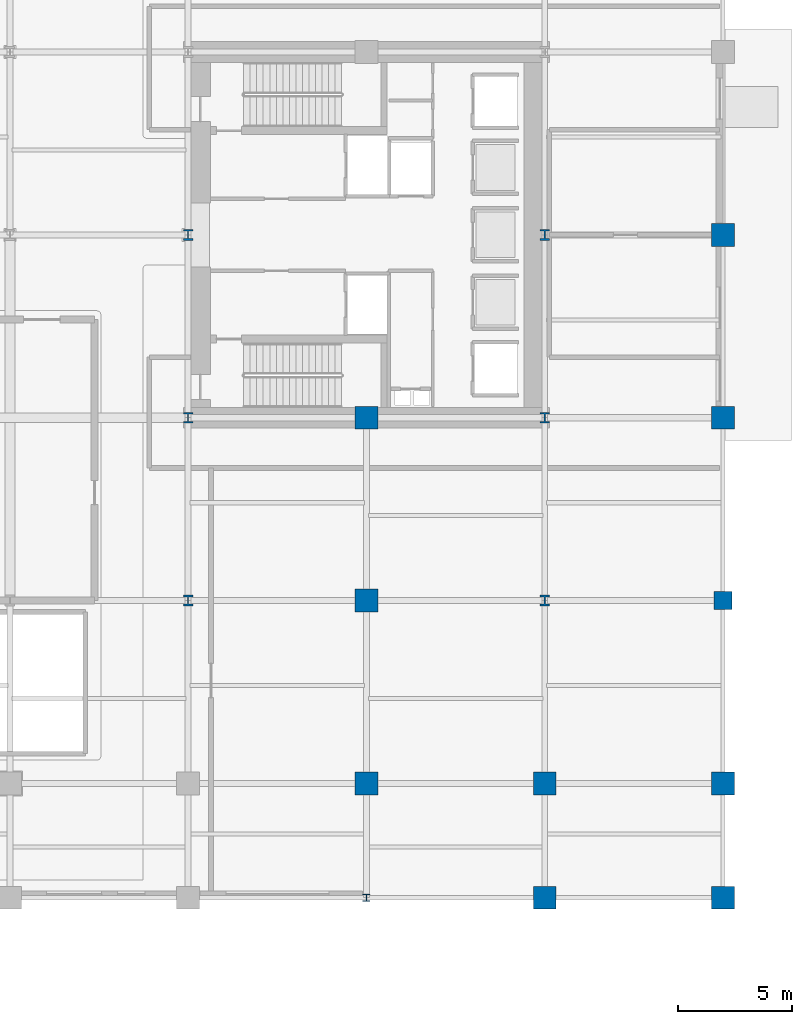
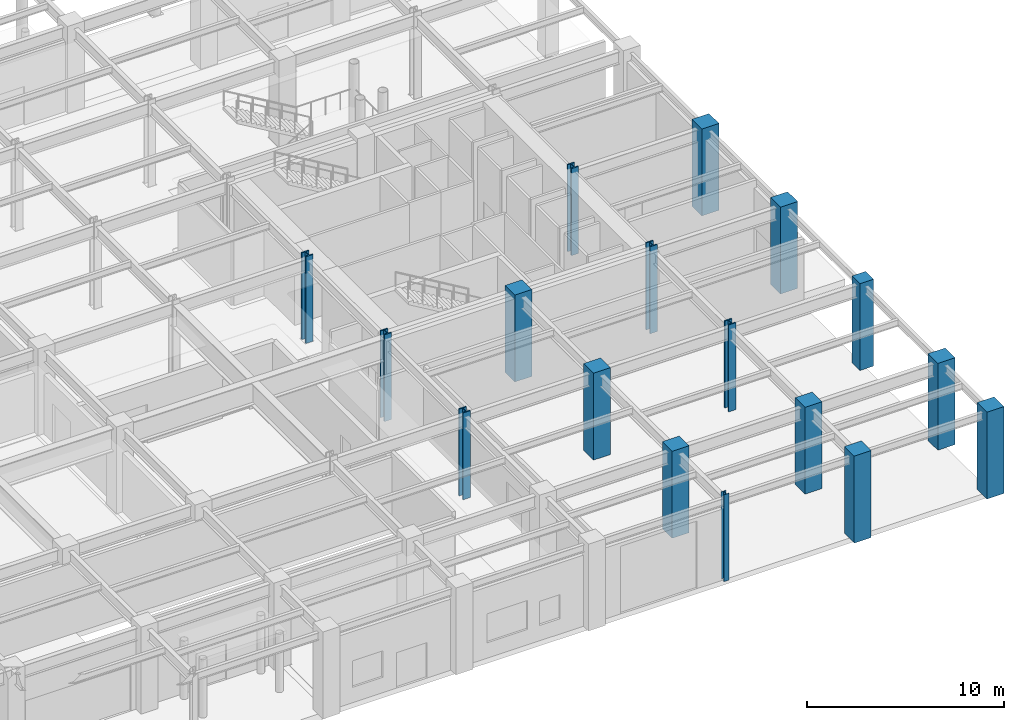
# One storey, part 3 of 27: 17 columns.
"""IFC4 building model written with IfcOpenShell, lengths in metres."""

from ifc_helpers import new_model, si_unit, direction, frame, origin, origin_2d, place, context, subcontext, project, spatial, rectangle, i_section, extrude, material, material_profile, profile_set, type_object, element, save


model = new_model("IFC4")

# Units and contexts
model_context = context("Model", 3, precision=1e-05, world=origin(), true_north=direction((0.0, 1.0)))
body_context = subcontext(model_context, "Body", "Model", "MODEL_VIEW")
ifc_project = project(units=[si_unit("LENGTHUNIT", "METRE"), si_unit("AREAUNIT", "SQUARE_METRE"), si_unit("VOLUMEUNIT", "CUBIC_METRE"), si_unit("PLANEANGLEUNIT", "RADIAN"), si_unit("MASSUNIT", "GRAM", prefix="KILO")], contexts=[model_context])

# Site, building, storey
site_placement = place(None, origin())
site = spatial("IfcSite", under=ifc_project, at=site_placement, CompositionType="ELEMENT")
building_placement = place(site_placement, origin())
building = spatial("IfcBuilding", under=site, at=building_placement, Name="Veymaron Broadcast Tower", CompositionType="ELEMENT")
storey_placement = place(building_placement, origin())
storey = spatial("IfcBuildingStorey", under=building, at=storey_placement, Name="L00", CompositionType="ELEMENT", Elevation=0.0)

# Columns
ifc_material_1 = material(Name="Structural steel ASTM A913 Gr 65", Category="steel")
ifc_material_profile_1 = material_profile(ifc_material_1, i_section(OverallWidth=0.424072265625, OverallDepth=0.47412109375, WebThickness=0.047607421875, FlangeThickness=0.076904296875, at=origin_2d()), Name="W360X634")
ifc_profile_set_1 = profile_set([ifc_material_profile_1], Name="Structural steel ASTM A913 Gr 65")
column_type_1 = type_object("IfcColumnType", Name="COL-MC1", PredefinedType="COLUMN", material=ifc_profile_set_1)
for number, where, z_axis, x_axis, name in (
    (1, (39.0, 8.0, 0.0), (0.0, 0.0, 1.0), (1.0, 0.0, 0.0), "L00 column (39.0, 8.0)"),
    (2, (39.0, 16.0, 0.0), (0.0, 0.0, 1.0), (1.0, 0.0, 0.0), "L00 column (39.0, 16.0)"),
    (3, (39.0, 24.0, 0.0), (0.0, 0.0, 1.0), (1.0, 0.0, 0.0), "L00 column (39.0, 24.0)"),
    (4, (54.60009765625, 8.0, 0.0), (0.0, 0.0, 1.0), (1.0, 0.0, 0.0), "L00 column (54.6, 8.0)"),
    (5, (54.60009765625, 16.0, 0.0), (0.0, 0.0, 1.0), (1.0, 0.0, 0.0), "L00 column (54.6, 16.0)"),
    (6, (54.60009765625, 24.0, 0.0), (0.0, 0.0, 1.0), (1.0, 0.0, 0.0), "L00 column (54.6, 24.0)"),
):
    element("IfcColumn", number, at=place(storey_placement, frame(where, z_axis=z_axis, x_axis=x_axis)), inside=storey, type_object=column_type_1, Name=name, PredefinedType="COLUMN", context=body_context, shape_type="SweptSolid", body=[
        extrude(i_section(OverallWidth=0.424072265625, OverallDepth=0.47412109375, WebThickness=0.047607421875, FlangeThickness=0.076904296875, at=origin_2d()), origin(), (0.0, 0.0, 1.0), 5.39501953125),
    ])
ifc_material_2 = material(Name="Concrete C60/75", Category="concrete")
ifc_material_profile_2 = material_profile(ifc_material_2, rectangle(XDim=1.0, YDim=1.0, at=origin_2d()), Name="RC1000X1000")
ifc_profile_set_2 = profile_set([ifc_material_profile_2], Name="Concrete C60/75")
column_type_2 = type_object("IfcColumnType", Name="COL-RC3", PredefinedType="COLUMN", material=ifc_profile_set_2)
for number, where, z_axis, x_axis, name in (
    (7, (46.800048828125, 0.0, 0.0), (0.0, 0.0, 1.0), (1.0, 0.0, 0.0), "L00 column (46.8, 0.0)"),
    (8, (46.800048828125, 8.0, 0.0), (0.0, 0.0, 1.0), (1.0, 0.0, 0.0), "L00 column (46.8, 8.0)"),
    (9, (46.800048828125, 16.0, 0.0), (0.0, 0.0, 1.0), (1.0, 0.0, 0.0), "L00 column (46.8, 16.0)"),
    (10, (54.60009765625, -5.0, 0.0), (0.0, 0.0, 1.0), (1.0, 0.0, 0.0), "L00 column (54.6, -5.0)"),
    (11, (54.60009765625, 0.0, 0.0), (0.0, 0.0, 1.0), (1.0, 0.0, 0.0), "L00 column (54.6, 0.0)"),
    (12, (62.39990234375, -5.0, 0.0), (0.0, 0.0, 1.0), (1.0, 0.0, 0.0), "L00 column (62.4, -5.0)"),
    (13, (62.39990234375, 0.0, 0.0), (0.0, 0.0, 1.0), (1.0, 0.0, 0.0), "L00 column (62.4, 0.0)"),
    (14, (62.39990234375, 16.0, 0.0), (0.0, 0.0, 1.0), (1.0, 0.0, 0.0), "L00 column (62.4, 16.0)"),
    (15, (62.39990234375, 24.0, 0.0), (0.0, 0.0, 1.0), (1.0, 0.0, 0.0), "L00 column (62.4, 24.0)"),
):
    element("IfcColumn", number, at=place(storey_placement, frame(where, z_axis=z_axis, x_axis=x_axis)), inside=storey, type_object=column_type_2, Name=name, PredefinedType="COLUMN", context=body_context, shape_type="SweptSolid", body=[
        extrude(rectangle(XDim=1.0, YDim=1.0, at=origin_2d()), origin(), (0.0, 0.0, 1.0), 5.39501953125),
    ])
ifc_material_3 = material(Name="Concrete C50/60", Category="concrete")
ifc_material_profile_3 = material_profile(ifc_material_3, rectangle(XDim=0.800048828125, YDim=0.800048828125, at=origin_2d()), Name="RC800X800")
ifc_profile_set_3 = profile_set([ifc_material_profile_3], Name="Concrete C50/60")
column_type_3 = type_object("IfcColumnType", Name="COL-RC5", PredefinedType="COLUMN", material=ifc_profile_set_3)
column_1_placement = place(storey_placement, frame((62.39990234375, 8.0, 0.0), z_axis=(0.0, 0.0, 1.0), x_axis=(1.0, 0.0, 0.0)))
element("IfcColumn", 16, at=column_1_placement, inside=storey, type_object=column_type_3, Name="L00 column (62.4, 8.0)", PredefinedType="COLUMN", context=body_context, shape_type="SweptSolid", body=[
    extrude(rectangle(XDim=0.800048828125, YDim=0.800048828125, at=origin_2d()), origin(), (0.0, 0.0, 1.0), 5.39501953125),
])
ifc_material_4 = material(Name="Structural steel ASTM A992 Gr 50", Category="steel")
ifc_material_profile_4 = material_profile(ifc_material_4, i_section(OverallWidth=0.306884765625, OverallDepth=0.31396484375, WebThickness=0.010986328125, FlangeThickness=0.018798828125, at=origin_2d()), Name="W310X117")
ifc_profile_set_4 = profile_set([ifc_material_profile_4], Name="Structural steel ASTM A992 Gr 50")
column_type_4 = type_object("IfcColumnType", Name="COL-SC3", PredefinedType="COLUMN", material=ifc_profile_set_4)
column_2_placement = place(storey_placement, frame((46.800048828125, -5.0, 0.0), z_axis=(0.0, 0.0, 1.0), x_axis=(1.0, 0.0, 0.0)))
element("IfcColumn", 17, at=column_2_placement, inside=storey, type_object=column_type_4, Name="L00 column (46.8, -5.0)", PredefinedType="COLUMN", context=body_context, shape_type="SweptSolid", body=[
    extrude(i_section(OverallWidth=0.306884765625, OverallDepth=0.31396484375, WebThickness=0.010986328125, FlangeThickness=0.018798828125, at=origin_2d()), origin(), (0.0, 0.0, 1.0), 5.39501953125),
])

save(model, "model.ifc")
